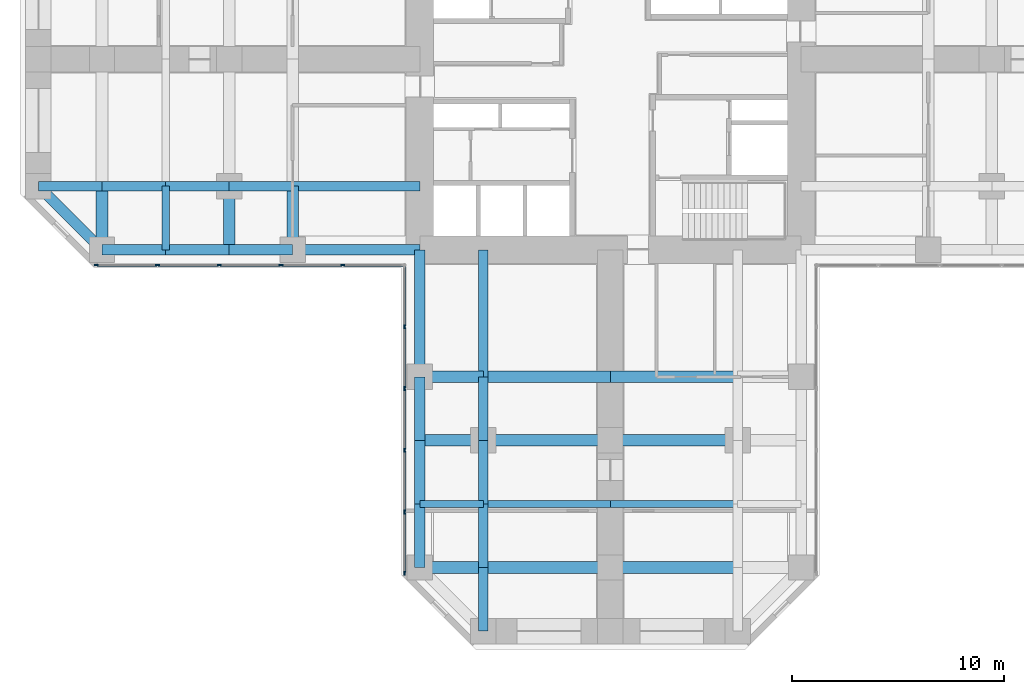
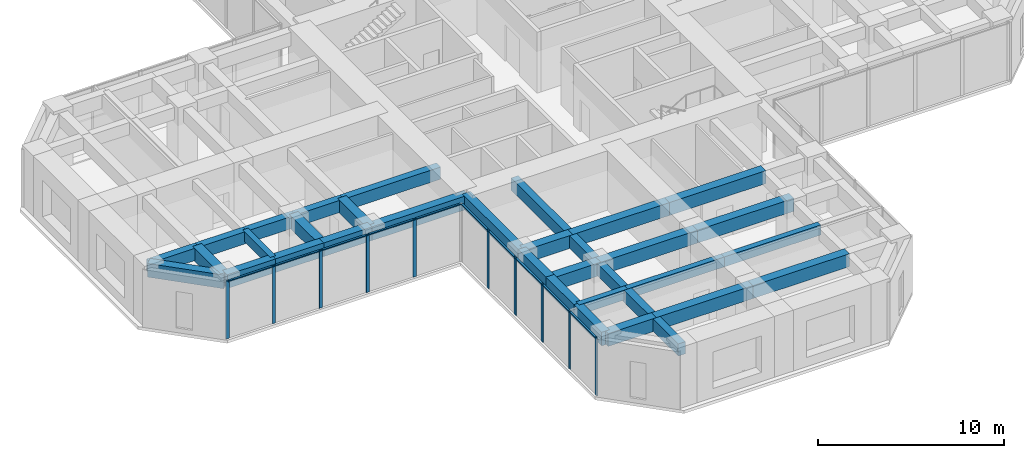
# One storey, part 2 of 12: 35 beams, 20 members, 2 elements without a shape of their own.
"""IFC4 building model written with IfcOpenShell, lengths in metres."""

from ifc_helpers import new_model, si_unit, direction, frame, origin, origin_2d, place, context, subcontext, project, spatial, rectangle, extrude, material, material_profile, profile_set, type_object, element, aggregate, save


model = new_model("IFC4")

# Units and contexts
model_context = context("Model", 3, precision=1e-05, world=origin(), true_north=direction((0.0, 1.0)))
body_context = subcontext(model_context, "Body", "Model", "MODEL_VIEW")
ifc_project = project(units=[si_unit("LENGTHUNIT", "METRE"), si_unit("AREAUNIT", "SQUARE_METRE"), si_unit("VOLUMEUNIT", "CUBIC_METRE"), si_unit("PLANEANGLEUNIT", "RADIAN"), si_unit("MASSUNIT", "GRAM", prefix="KILO")], contexts=[model_context])

# Site, building, storey
site_placement = place(None, origin())
site = spatial("IfcSite", under=ifc_project, at=site_placement, CompositionType="ELEMENT")
building_placement = place(site_placement, origin())
building = spatial("IfcBuilding", under=site, at=building_placement, Name="Torre Cruceta", CompositionType="ELEMENT")
storey_placement = place(building_placement, frame((0.0, 0.0, 83.5)))
storey = spatial("IfcBuildingStorey", under=building, at=storey_placement, Name="L20", CompositionType="ELEMENT", Elevation=83.5)

# Beams
ifc_material_1 = material(Name="Concrete G60 (fck 60 MPa)", Category="concrete")
ifc_material_profile_1 = material_profile(ifc_material_1, rectangle(XDim=0.449951171875, YDim=0.800048828125, at=origin_2d()), Name="RC 450X800")
ifc_profile_set_1 = profile_set([ifc_material_profile_1], Name="Concrete G60 (fck 60 MPa)")
beam_type_1 = type_object("IfcBeamType", Name="COLUMN LINE BEAM RC 450X800", PredefinedType="BEAM", material=ifc_profile_set_1)
beam_1_placement = place(storey_placement, frame((-6.0, -9.0, 3.39990234375), z_axis=(0.0, -1.0, 0.0), x_axis=(1.0, 0.0, 0.0)))
element("IfcBeam", 1, at=beam_1_placement, inside=storey, type_object=beam_type_1, Name="LB1 L20 S col- 1", PredefinedType="BEAM", context=body_context, shape_type="SweptSolid", body=[
    extrude(rectangle(XDim=0.449951171875, YDim=0.800048828125, at=origin_2d()), origin(), (0.0, 0.0, 1.0), 6.0),
])
for number, where, z_axis, x_axis, name in (
    (2, (-6.0, -15.0, 3.39990234375), (0.0, -1.0, 0.0), (1.0, 0.0, 0.0), "LB1 L20 S col- 2"),
    (3, (-6.0, -18.0, 3.39990234375), (0.0, -1.0, 0.0), (1.0, 0.0, 0.0), "LB1 L20 S col- 3"),
    (4, (-6.0, -21.0, 3.39990234375), (0.0, -1.0, 0.0), (1.0, 0.0, 0.0), "LB1 L20 S col- 4"),
    (5, (-6.0, -24.0, 3.39990234375), (0.0, -1.0, 0.0), (1.0, 0.0, 0.0), "LB1 L20 S col- 5"),
):
    element("IfcBeam", number, at=place(storey_placement, frame(where, z_axis=z_axis, x_axis=x_axis)), inside=storey, type_object=beam_type_1, Name=name, PredefinedType="BEAM", context=body_context, shape_type="SweptSolid", body=[
        extrude(rectangle(XDim=0.449951171875, YDim=0.800048828125, at=origin_2d()), origin(), (0.0, 0.0, 1.0), 3.0),
    ])
beam_2_placement = place(storey_placement, frame((-9.0, -6.0, 3.39990234375), z_axis=(-1.0, 0.0, 0.0), x_axis=(0.0, -1.0, 0.0)))
element("IfcBeam", 6, at=beam_2_placement, inside=storey, type_object=beam_type_1, Name="LB1 L20 W col+ 1", PredefinedType="BEAM", context=body_context, shape_type="SweptSolid", body=[
    extrude(rectangle(XDim=0.449951171875, YDim=0.800048828125, at=origin_2d()), origin(), (0.0, 0.0, 1.0), 6.0),
])
for number, where, z_axis, x_axis, name in (
    (7, (-15.0, -6.0, 3.39990234375), (-1.0, 0.0, 0.0), (0.0, -1.0, 0.0), "LB1 L20 W col+ 2"),
    (8, (-18.0, -6.0, 3.39990234375), (-1.0, 0.0, 0.0), (0.0, -1.0, 0.0), "LB1 L20 W col+ 3"),
    (9, (-21.0, -6.0, 3.39990234375), (-1.0, 0.0, 0.0), (0.0, -1.0, 0.0), "LB1 L20 W col+ 4"),
    (10, (-24.0, -6.0, 3.39990234375), (-1.0, 0.0, 0.0), (0.0, -1.0, 0.0), "LB1 L20 W col+ 5"),
):
    element("IfcBeam", number, at=place(storey_placement, frame(where, z_axis=z_axis, x_axis=x_axis)), inside=storey, type_object=beam_type_1, Name=name, PredefinedType="BEAM", context=body_context, shape_type="SweptSolid", body=[
        extrude(rectangle(XDim=0.449951171875, YDim=0.800048828125, at=origin_2d()), origin(), (0.0, 0.0, 1.0), 3.0),
    ])
ifc_material_2 = material(Name="Concrete G60 (fck 60 MPa)", Category="concrete")
ifc_material_profile_2 = material_profile(ifc_material_2, rectangle(XDim=0.550048828125, YDim=0.85009765625, at=origin_2d()), Name="RC 550X850")
ifc_profile_set_2 = profile_set([ifc_material_profile_2], Name="Concrete G60 (fck 60 MPa)")
beam_type_2 = type_object("IfcBeamType", Name="CROSS BEAM RC 550X850", PredefinedType="BEAM", material=ifc_profile_set_2)
beam_3_placement = place(storey_placement, frame((-9.0, -15.0, 3.375), z_axis=(1.0, 0.0, 0.0), x_axis=(0.0, 1.0, 0.0)))
element("IfcBeam", 11, at=beam_3_placement, inside=storey, type_object=beam_type_2, Name="GB4 L20 S cross15 1", PredefinedType="BEAM", context=body_context, shape_type="SweptSolid", body=[
    extrude(rectangle(XDim=0.550048828125, YDim=0.85009765625, at=origin_2d()), origin(), (0.0, 0.0, 1.0), 3.0),
])
for number, where, z_axis, x_axis, name in (
    (12, (-6.0, -15.0, 3.375), (1.0, 0.0, 0.0), (0.0, 1.0, 0.0), "GB4 L20 S cross15 2"),
    (13, (0.0, -15.0, 3.375), (1.0, 0.0, 0.0), (0.0, 1.0, 0.0), "GB4 L20 S cross15 3"),
):
    element("IfcBeam", number, at=place(storey_placement, frame(where, z_axis=z_axis, x_axis=x_axis)), inside=storey, type_object=beam_type_2, Name=name, PredefinedType="BEAM", context=body_context, shape_type="SweptSolid", body=[
        extrude(rectangle(XDim=0.550048828125, YDim=0.85009765625, at=origin_2d()), origin(), (0.0, 0.0, 1.0), 6.0),
    ])
beam_4_placement = place(storey_placement, frame((-9.0, -18.0, 3.375), z_axis=(1.0, 0.0, 0.0), x_axis=(0.0, 1.0, 0.0)))
element("IfcBeam", 14, at=beam_4_placement, inside=storey, type_object=beam_type_2, Name="GB4 L20 S cross18 1", PredefinedType="BEAM", context=body_context, shape_type="SweptSolid", body=[
    extrude(rectangle(XDim=0.550048828125, YDim=0.85009765625, at=origin_2d()), origin(), (0.0, 0.0, 1.0), 3.0),
])
for number, where, z_axis, x_axis, name in (
    (15, (-6.0, -18.0, 3.375), (1.0, 0.0, 0.0), (0.0, 1.0, 0.0), "GB4 L20 S cross18 2"),
    (16, (0.0, -18.0, 3.375), (1.0, 0.0, 0.0), (0.0, 1.0, 0.0), "GB4 L20 S cross18 3"),
):
    element("IfcBeam", number, at=place(storey_placement, frame(where, z_axis=z_axis, x_axis=x_axis)), inside=storey, type_object=beam_type_2, Name=name, PredefinedType="BEAM", context=body_context, shape_type="SweptSolid", body=[
        extrude(rectangle(XDim=0.550048828125, YDim=0.85009765625, at=origin_2d()), origin(), (0.0, 0.0, 1.0), 6.0),
    ])
beam_5_placement = place(storey_placement, frame((-9.0, -24.0, 3.375), z_axis=(1.0, 0.0, 0.0), x_axis=(0.0, 1.0, 0.0)))
element("IfcBeam", 17, at=beam_5_placement, inside=storey, type_object=beam_type_2, Name="GB4 L20 S cross24 1", PredefinedType="BEAM", context=body_context, shape_type="SweptSolid", body=[
    extrude(rectangle(XDim=0.550048828125, YDim=0.85009765625, at=origin_2d()), origin(), (0.0, 0.0, 1.0), 3.0),
])
for number, where, z_axis, x_axis, name in (
    (18, (-6.0, -24.0, 3.375), (1.0, 0.0, 0.0), (0.0, 1.0, 0.0), "GB4 L20 S cross24 2"),
    (19, (0.0, -24.0, 3.375), (1.0, 0.0, 0.0), (0.0, 1.0, 0.0), "GB4 L20 S cross24 3"),
):
    element("IfcBeam", number, at=place(storey_placement, frame(where, z_axis=z_axis, x_axis=x_axis)), inside=storey, type_object=beam_type_2, Name=name, PredefinedType="BEAM", context=body_context, shape_type="SweptSolid", body=[
        extrude(rectangle(XDim=0.550048828125, YDim=0.85009765625, at=origin_2d()), origin(), (0.0, 0.0, 1.0), 6.0),
    ])
for number, where, z_axis, x_axis, name in (
    (20, (-15.0, -6.0, 3.375), (0.0, -1.0, 0.0), (1.0, 0.0, 0.0), "GB4 L20 W cross15 4"),
    (21, (-18.0, -6.0, 3.375), (0.0, -1.0, 0.0), (1.0, 0.0, 0.0), "GB4 L20 W cross18 4"),
    (22, (-24.0, -6.0, 3.375), (0.0, -1.0, 0.0), (1.0, 0.0, 0.0), "GB4 L20 W cross24 4"),
):
    element("IfcBeam", number, at=place(storey_placement, frame(where, z_axis=z_axis, x_axis=x_axis)), inside=storey, type_object=beam_type_2, Name=name, PredefinedType="BEAM", context=body_context, shape_type="SweptSolid", body=[
        extrude(rectangle(XDim=0.550048828125, YDim=0.85009765625, at=origin_2d()), origin(), (0.0, 0.0, 1.0), 3.0),
    ])

# Curtain wall, members
ifc_material_3 = material(Name="Aluminium unitised curtain wall", Category="aluminium")
curtain_wall_type = type_object("IfcCurtainWallType", Name="CURTAIN WALL CW-A OFFICE LOW RISE", PredefinedType="USERDEFINED", material=ifc_material_3)
curtain_wall_1_placement = place(storey_placement, origin())
curtain_wall_1 = element("IfcCurtainWall", 23, at=curtain_wall_1_placement, inside=storey, type_object=curtain_wall_type, Name="CW-A L20 W side 14", ObjectType="UNITISED", PredefinedType="USERDEFINED")
ifc_material_4 = material(Name="Aluminium mullion", Category="aluminium")
ifc_material_profile_3 = material_profile(ifc_material_4, rectangle(XDim=0.06494140625, YDim=0.199951171875, at=origin_2d()), Name="AL 65X200")
ifc_profile_set_3 = profile_set([ifc_material_profile_3], Name="Aluminium mullion")
member_type_1 = type_object("IfcMemberType", Name="CW-A MULLION 65X200", PredefinedType="MULLION", material=ifc_profile_set_3)
member_1_placement = place(storey_placement, frame((-24.265625, -9.719970703125, 0.0), z_axis=(0.0, 0.0, 1.0), x_axis=(0.0, 1.0, 0.0)))
member_1 = element("IfcMember", 24, at=member_1_placement, type_object=member_type_1, Name="CW-A mullion 1", PredefinedType="MULLION", context=body_context, shape_type="SweptSolid", body=[
    extrude(rectangle(XDim=0.06494140625, YDim=0.199951171875, at=origin_2d()), origin(), (0.0, 0.0, 1.0), 3.800048828125),
])
member_2_placement = place(storey_placement, frame((-21.382568359375, -9.719970703125, 0.0), z_axis=(0.0, 0.0, 1.0), x_axis=(0.0, 1.0, 0.0)))
member_2 = element("IfcMember", 25, at=member_2_placement, type_object=member_type_1, Name="CW-A mullion 2", PredefinedType="MULLION", context=body_context, shape_type="SweptSolid", body=[
    extrude(rectangle(XDim=0.06494140625, YDim=0.199951171875, at=origin_2d()), origin(), (0.0, 0.0, 1.0), 3.800048828125),
])
member_3_placement = place(storey_placement, frame((-18.467041015625, -9.719970703125, 0.0), z_axis=(0.0, 0.0, 1.0), x_axis=(0.0, 1.0, 0.0)))
member_3 = element("IfcMember", 26, at=member_3_placement, type_object=member_type_1, Name="CW-A mullion 3", PredefinedType="MULLION", context=body_context, shape_type="SweptSolid", body=[
    extrude(rectangle(XDim=0.06494140625, YDim=0.199951171875, at=origin_2d()), origin(), (0.0, 0.0, 1.0), 3.800048828125),
])
member_4_placement = place(storey_placement, frame((-15.55126953125, -9.719970703125, 0.0), z_axis=(0.0, 0.0, 1.0), x_axis=(0.0, 1.0, 0.0)))
member_4 = element("IfcMember", 27, at=member_4_placement, type_object=member_type_1, Name="CW-A mullion 4", PredefinedType="MULLION", context=body_context, shape_type="SweptSolid", body=[
    extrude(rectangle(XDim=0.06494140625, YDim=0.199951171875, at=origin_2d()), origin(), (0.0, 0.0, 1.0), 3.800048828125),
])
member_5_placement = place(storey_placement, frame((-12.6357421875, -9.719970703125, 0.0), z_axis=(0.0, 0.0, 1.0), x_axis=(0.0, 1.0, 0.0)))
member_5 = element("IfcMember", 28, at=member_5_placement, type_object=member_type_1, Name="CW-A mullion 5", PredefinedType="MULLION", context=body_context, shape_type="SweptSolid", body=[
    extrude(rectangle(XDim=0.06494140625, YDim=0.199951171875, at=origin_2d()), origin(), (0.0, 0.0, 1.0), 3.800048828125),
])

curtain_wall_2_placement = place(storey_placement, origin())
curtain_wall_2 = element("IfcCurtainWall", 29, at=curtain_wall_2_placement, inside=storey, type_object=curtain_wall_type, Name="CW-A L20 S side 15", ObjectType="UNITISED", PredefinedType="USERDEFINED")
member_6_placement = place(storey_placement, frame((-9.719970703125, -12.6357421875, 0.0), z_axis=(0.0, 0.0, 1.0), x_axis=(1.0, 0.0, 0.0)))
member_6 = element("IfcMember", 30, at=member_6_placement, type_object=member_type_1, Name="CW-A mullion 2", PredefinedType="MULLION", context=body_context, shape_type="SweptSolid", body=[
    extrude(rectangle(XDim=0.06494140625, YDim=0.199951171875, at=origin_2d()), origin(), (0.0, 0.0, 1.0), 3.800048828125),
])
member_7_placement = place(storey_placement, frame((-9.719970703125, -15.55126953125, 0.0), z_axis=(0.0, 0.0, 1.0), x_axis=(1.0, 0.0, 0.0)))
member_7 = element("IfcMember", 31, at=member_7_placement, type_object=member_type_1, Name="CW-A mullion 3", PredefinedType="MULLION", context=body_context, shape_type="SweptSolid", body=[
    extrude(rectangle(XDim=0.06494140625, YDim=0.199951171875, at=origin_2d()), origin(), (0.0, 0.0, 1.0), 3.800048828125),
])
member_8_placement = place(storey_placement, frame((-9.719970703125, -18.467041015625, 0.0), z_axis=(0.0, 0.0, 1.0), x_axis=(1.0, 0.0, 0.0)))
member_8 = element("IfcMember", 32, at=member_8_placement, type_object=member_type_1, Name="CW-A mullion 4", PredefinedType="MULLION", context=body_context, shape_type="SweptSolid", body=[
    extrude(rectangle(XDim=0.06494140625, YDim=0.199951171875, at=origin_2d()), origin(), (0.0, 0.0, 1.0), 3.800048828125),
])
member_9_placement = place(storey_placement, frame((-9.719970703125, -21.382568359375, 0.0), z_axis=(0.0, 0.0, 1.0), x_axis=(1.0, 0.0, 0.0)))
member_9 = element("IfcMember", 33, at=member_9_placement, type_object=member_type_1, Name="CW-A mullion 5", PredefinedType="MULLION", context=body_context, shape_type="SweptSolid", body=[
    extrude(rectangle(XDim=0.06494140625, YDim=0.199951171875, at=origin_2d()), origin(), (0.0, 0.0, 1.0), 3.800048828125),
])
member_10_placement = place(storey_placement, frame((-9.719970703125, -24.265625, 0.0), z_axis=(0.0, 0.0, 1.0), x_axis=(1.0, 0.0, 0.0)))
member_10 = element("IfcMember", 34, at=member_10_placement, type_object=member_type_1, Name="CW-A mullion 6", PredefinedType="MULLION", context=body_context, shape_type="SweptSolid", body=[
    extrude(rectangle(XDim=0.06494140625, YDim=0.199951171875, at=origin_2d()), origin(), (0.0, 0.0, 1.0), 3.800048828125),
])

# Member
ifc_material_5 = material(Name="Aluminium transom", Category="aluminium")
ifc_material_profile_4 = material_profile(ifc_material_5, rectangle(XDim=0.1201171875, YDim=0.06494140625, at=origin_2d()), Name="AL 120X65")
ifc_profile_set_4 = profile_set([ifc_material_profile_4], Name="Aluminium transom")
member_type_2 = type_object("IfcMemberType", Name="CW-A TRANSOM 65X120", PredefinedType="USERDEFINED", material=ifc_profile_set_4)
member_11_placement = place(storey_placement, frame((-24.233154296875, -9.719970703125, 3.767578125), z_axis=(1.0, 0.0, 0.0), x_axis=(0.0, 1.0, 0.0)))
member_11 = element("IfcMember", 35, at=member_11_placement, type_object=member_type_2, Name="CW-A transom 1", ObjectType="TRANSOM", PredefinedType="USERDEFINED", context=body_context, shape_type="SweptSolid", body=[
    extrude(rectangle(XDim=0.1201171875, YDim=0.06494140625, at=origin_2d()), origin(), (0.0, 0.0, 1.0), 2.818115234375),
])

member_12_placement = place(storey_placement, frame((-21.35009765625, -9.719970703125, 3.767578125), z_axis=(1.0, 0.0, 0.0), x_axis=(0.0, 1.0, 0.0)))
member_12 = element("IfcMember", 36, at=member_12_placement, type_object=member_type_2, Name="CW-A transom 2", ObjectType="TRANSOM", PredefinedType="USERDEFINED", context=body_context, shape_type="SweptSolid", body=[
    extrude(rectangle(XDim=0.1201171875, YDim=0.06494140625, at=origin_2d()), origin(), (0.0, 0.0, 1.0), 2.8505859375),
])

member_13_placement = place(storey_placement, frame((-18.434326171875, -9.719970703125, 3.767578125), z_axis=(1.0, 0.0, 0.0), x_axis=(0.0, 1.0, 0.0)))
member_13 = element("IfcMember", 37, at=member_13_placement, type_object=member_type_2, Name="CW-A transom 3", ObjectType="TRANSOM", PredefinedType="USERDEFINED", context=body_context, shape_type="SweptSolid", body=[
    extrude(rectangle(XDim=0.1201171875, YDim=0.06494140625, at=origin_2d()), origin(), (0.0, 0.0, 1.0), 2.8505859375),
])

member_14_placement = place(storey_placement, frame((-15.518798828125, -9.719970703125, 3.767578125), z_axis=(1.0, 0.0, 0.0), x_axis=(0.0, 1.0, 0.0)))
member_14 = element("IfcMember", 38, at=member_14_placement, type_object=member_type_2, Name="CW-A transom 4", ObjectType="TRANSOM", PredefinedType="USERDEFINED", context=body_context, shape_type="SweptSolid", body=[
    extrude(rectangle(XDim=0.1201171875, YDim=0.06494140625, at=origin_2d()), origin(), (0.0, 0.0, 1.0), 2.8505859375),
])

member_15_placement = place(storey_placement, frame((-12.60302734375, -9.719970703125, 3.767578125), z_axis=(1.0, 0.0, 0.0), x_axis=(0.0, 1.0, 0.0)))
member_15 = element("IfcMember", 39, at=member_15_placement, type_object=member_type_2, Name="CW-A transom 5", ObjectType="TRANSOM", PredefinedType="USERDEFINED", context=body_context, shape_type="SweptSolid", body=[
    extrude(rectangle(XDim=0.1201171875, YDim=0.06494140625, at=origin_2d()), origin(), (0.0, 0.0, 1.0), 2.818115234375),
])

aggregate(curtain_wall_1, [member_1, member_2, member_3, member_4, member_5, member_11, member_12, member_13, member_14, member_15])

member_16_placement = place(storey_placement, frame((-9.719970703125, -9.784912109375, 3.767578125), z_axis=(0.0, -1.0, 0.0), x_axis=(1.0, 0.0, 0.0)))
member_16 = element("IfcMember", 40, at=member_16_placement, type_object=member_type_2, Name="CW-A transom 1", ObjectType="TRANSOM", PredefinedType="USERDEFINED", context=body_context, shape_type="SweptSolid", body=[
    extrude(rectangle(XDim=0.1201171875, YDim=0.06494140625, at=origin_2d()), origin(), (0.0, 0.0, 1.0), 2.818115234375),
])

member_17_placement = place(storey_placement, frame((-9.719970703125, -12.668212890625, 3.767578125), z_axis=(0.0, -1.0, 0.0), x_axis=(1.0, 0.0, 0.0)))
member_17 = element("IfcMember", 41, at=member_17_placement, type_object=member_type_2, Name="CW-A transom 2", ObjectType="TRANSOM", PredefinedType="USERDEFINED", context=body_context, shape_type="SweptSolid", body=[
    extrude(rectangle(XDim=0.1201171875, YDim=0.06494140625, at=origin_2d()), origin(), (0.0, 0.0, 1.0), 2.8505859375),
])

member_18_placement = place(storey_placement, frame((-9.719970703125, -15.583740234375, 3.767578125), z_axis=(0.0, -1.0, 0.0), x_axis=(1.0, 0.0, 0.0)))
member_18 = element("IfcMember", 42, at=member_18_placement, type_object=member_type_2, Name="CW-A transom 3", ObjectType="TRANSOM", PredefinedType="USERDEFINED", context=body_context, shape_type="SweptSolid", body=[
    extrude(rectangle(XDim=0.1201171875, YDim=0.06494140625, at=origin_2d()), origin(), (0.0, 0.0, 1.0), 2.8505859375),
])

member_19_placement = place(storey_placement, frame((-9.719970703125, -18.49951171875, 3.767578125), z_axis=(0.0, -1.0, 0.0), x_axis=(1.0, 0.0, 0.0)))
member_19 = element("IfcMember", 43, at=member_19_placement, type_object=member_type_2, Name="CW-A transom 4", ObjectType="TRANSOM", PredefinedType="USERDEFINED", context=body_context, shape_type="SweptSolid", body=[
    extrude(rectangle(XDim=0.1201171875, YDim=0.06494140625, at=origin_2d()), origin(), (0.0, 0.0, 1.0), 2.8505859375),
])

member_20_placement = place(storey_placement, frame((-9.719970703125, -21.4150390625, 3.767578125), z_axis=(0.0, -1.0, 0.0), x_axis=(1.0, 0.0, 0.0)))
member_20 = element("IfcMember", 44, at=member_20_placement, type_object=member_type_2, Name="CW-A transom 5", ObjectType="TRANSOM", PredefinedType="USERDEFINED", context=body_context, shape_type="SweptSolid", body=[
    extrude(rectangle(XDim=0.1201171875, YDim=0.06494140625, at=origin_2d()), origin(), (0.0, 0.0, 1.0), 2.818115234375),
])

aggregate(curtain_wall_2, [member_6, member_7, member_8, member_9, member_10, member_16, member_17, member_18, member_19, member_20])

# Beams
ifc_material_6 = material(Name="Concrete G60 (fck 60 MPa)", Category="concrete")
ifc_material_profile_5 = material_profile(ifc_material_6, rectangle(XDim=0.35009765625, YDim=0.64990234375, at=origin_2d()), Name="RC 350X650")
ifc_profile_set_5 = profile_set([ifc_material_profile_5], Name="Concrete G60 (fck 60 MPa)")
beam_type_3 = type_object("IfcBeamType", Name="SECONDARY BEAM RC 350X650", PredefinedType="JOIST", material=ifc_profile_set_5)
beam_6_placement = place(storey_placement, frame((-9.0, -21.0, 3.47509765625), z_axis=(1.0, 0.0, 0.0), x_axis=(0.0, 1.0, 0.0)))
element("IfcBeam", 45, at=beam_6_placement, inside=storey, type_object=beam_type_3, Name="JB3 L20 S sec21 1", PredefinedType="JOIST", context=body_context, shape_type="SweptSolid", body=[
    extrude(rectangle(XDim=0.35009765625, YDim=0.64990234375, at=origin_2d()), origin(), (0.0, 0.0, 1.0), 3.0),
])
for number, where, z_axis, x_axis, name in (
    (46, (-6.0, -21.0, 3.47509765625), (1.0, 0.0, 0.0), (0.0, 1.0, 0.0), "JB3 L20 S sec21 2"),
    (47, (0.0, -21.0, 3.47509765625), (1.0, 0.0, 0.0), (0.0, 1.0, 0.0), "JB3 L20 S sec21 3"),
):
    element("IfcBeam", number, at=place(storey_placement, frame(where, z_axis=z_axis, x_axis=x_axis)), inside=storey, type_object=beam_type_3, Name=name, PredefinedType="JOIST", context=body_context, shape_type="SweptSolid", body=[
        extrude(rectangle(XDim=0.35009765625, YDim=0.64990234375, at=origin_2d()), origin(), (0.0, 0.0, 1.0), 6.0),
    ])
beam_7_placement = place(storey_placement, frame((-21.0, -6.0, 3.47509765625), z_axis=(0.0, -1.0, 0.0), x_axis=(1.0, 0.0, 0.0)))
element("IfcBeam", 48, at=beam_7_placement, inside=storey, type_object=beam_type_3, Name="JB3 L20 W sec21 4", PredefinedType="JOIST", context=body_context, shape_type="SweptSolid", body=[
    extrude(rectangle(XDim=0.35009765625, YDim=0.64990234375, at=origin_2d()), origin(), (0.0, 0.0, 1.0), 3.0),
])
ifc_material_7 = material(Name="Concrete G60 (fck 60 MPa)", Category="concrete")
ifc_material_profile_6 = material_profile(ifc_material_7, rectangle(XDim=0.5, YDim=0.89990234375, at=origin_2d()), Name="RC 500X900")
ifc_profile_set_6 = profile_set([ifc_material_profile_6], Name="Concrete G60 (fck 60 MPa)")
beam_type_4 = type_object("IfcBeamType", Name="SPANDREL BEAM RC 500X900", PredefinedType="SPANDREL", material=ifc_profile_set_6)
beam_8_placement = place(storey_placement, frame((-9.0, -9.0, 3.35009765625), z_axis=(0.0, -1.0, 0.0), x_axis=(1.0, 0.0, 0.0)))
element("IfcBeam", 49, at=beam_8_placement, inside=storey, type_object=beam_type_4, Name="SB4 L20 S side- 1", PredefinedType="SPANDREL", context=body_context, shape_type="SweptSolid", body=[
    extrude(rectangle(XDim=0.5, YDim=0.89990234375, at=origin_2d()), origin(), (0.0, 0.0, 1.0), 6.0),
])
for number, where, z_axis, x_axis, name in (
    (50, (-9.0, -15.0, 3.35009765625), (0.0, -1.0, 0.0), (1.0, 0.0, 0.0), "SB4 L20 S side- 2"),
    (51, (-9.0, -18.0, 3.35009765625), (0.0, -1.0, 0.0), (1.0, 0.0, 0.0), "SB4 L20 S side- 3"),
    (52, (-9.0, -21.0, 3.35009765625), (0.0, -1.0, 0.0), (1.0, 0.0, 0.0), "SB4 L20 S side- 4"),
):
    element("IfcBeam", number, at=place(storey_placement, frame(where, z_axis=z_axis, x_axis=x_axis)), inside=storey, type_object=beam_type_4, Name=name, PredefinedType="SPANDREL", context=body_context, shape_type="SweptSolid", body=[
        extrude(rectangle(XDim=0.5, YDim=0.89990234375, at=origin_2d()), origin(), (0.0, 0.0, 1.0), 3.0),
    ])
beam_9_placement = place(storey_placement, frame((-9.0, -9.0, 3.35009765625), z_axis=(-1.0, 0.0, 0.0), x_axis=(0.0, -1.0, 0.0)))
element("IfcBeam", 53, at=beam_9_placement, inside=storey, type_object=beam_type_4, Name="SB4 L20 W side+ 1", PredefinedType="SPANDREL", context=body_context, shape_type="SweptSolid", body=[
    extrude(rectangle(XDim=0.5, YDim=0.89990234375, at=origin_2d()), origin(), (0.0, 0.0, 1.0), 6.0),
])
for number, where, z_axis, x_axis, name in (
    (54, (-15.0, -9.0, 3.35009765625), (-1.0, 0.0, 0.0), (0.0, -1.0, 0.0), "SB4 L20 W side+ 2"),
    (55, (-18.0, -9.0, 3.35009765625), (-1.0, 0.0, 0.0), (0.0, -1.0, 0.0), "SB4 L20 W side+ 3"),
    (56, (-21.0, -9.0, 3.35009765625), (-1.0, 0.0, 0.0), (0.0, -1.0, 0.0), "SB4 L20 W side+ 4"),
):
    element("IfcBeam", number, at=place(storey_placement, frame(where, z_axis=z_axis, x_axis=x_axis)), inside=storey, type_object=beam_type_4, Name=name, PredefinedType="SPANDREL", context=body_context, shape_type="SweptSolid", body=[
        extrude(rectangle(XDim=0.5, YDim=0.89990234375, at=origin_2d()), origin(), (0.0, 0.0, 1.0), 3.0),
    ])
beam_10_placement = place(storey_placement, frame((-24.0, -9.0, 3.35009765625), z_axis=(-0.707106781187, 0.707106781187, 0.0), x_axis=(-0.707106781187, -0.707106781187, 0.0)))
element("IfcBeam", 57, at=beam_10_placement, inside=storey, type_object=beam_type_4, Name="SB4 L20 W side+ 5", PredefinedType="SPANDREL", context=body_context, shape_type="SweptSolid", body=[
    extrude(rectangle(XDim=0.5, YDim=0.89990234375, at=origin_2d()), origin(), (0.0, 0.0, 1.0), 4.24267578125),
])

save(model, "model.ifc")
